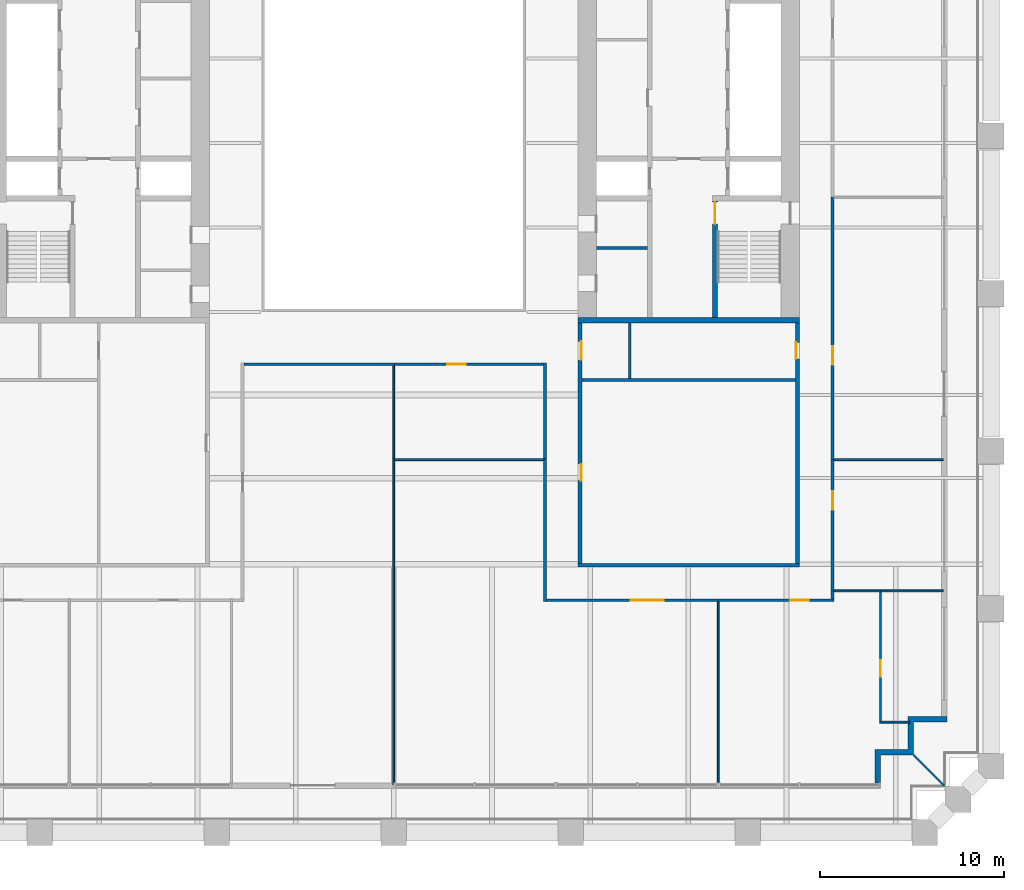
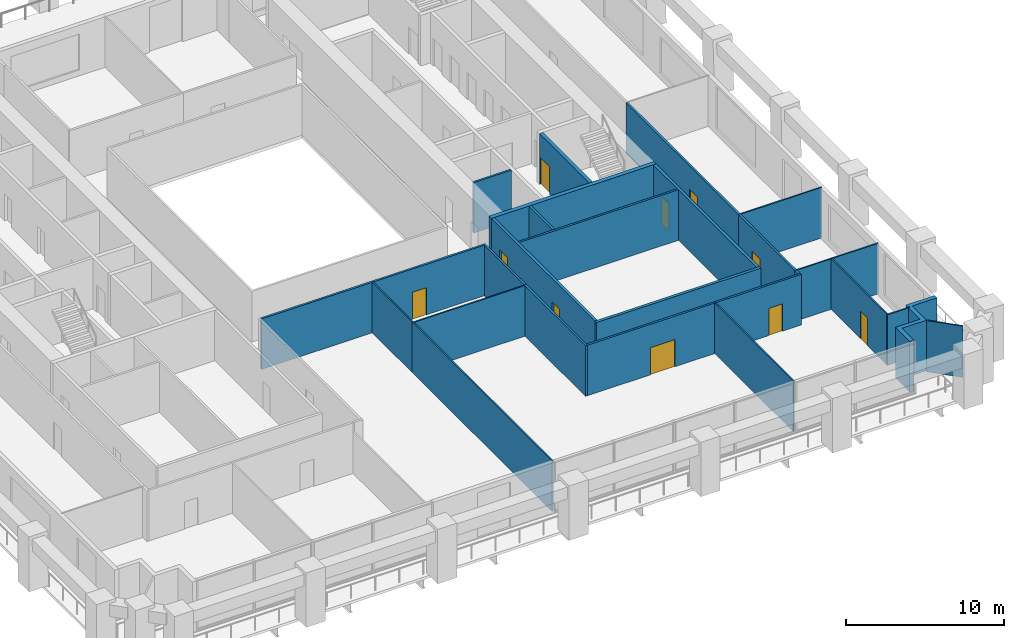
# One storey, part 6 of 11: 28 walls, 10 doors, 10 openings.
"""IFC4 building model written with IfcOpenShell, lengths in metres."""

from ifc_helpers import new_model, si_unit, direction, frame, frame_2d, origin, place, context, subcontext, project, spatial, polyline, rectangle, outline, extrude, material, layer, layer_set, type_object, element, fill, save


model = new_model("IFC4")

# Units and contexts
model_context = context("Model", 3, precision=1e-05, world=origin(), true_north=direction((0.0, 1.0)))
body_context = subcontext(model_context, "Body", "Model", "MODEL_VIEW")
ifc_project = project(units=[si_unit("LENGTHUNIT", "METRE"), si_unit("AREAUNIT", "SQUARE_METRE"), si_unit("VOLUMEUNIT", "CUBIC_METRE"), si_unit("PLANEANGLEUNIT", "RADIAN"), si_unit("MASSUNIT", "GRAM", prefix="KILO")], contexts=[model_context])

# Site, building, storey
site_placement = place(None, origin())
site = spatial("IfcSite", under=ifc_project, at=site_placement, CompositionType="ELEMENT")
building_placement = place(site_placement, origin())
building = spatial("IfcBuilding", under=site, at=building_placement, Name="Ogive Exchange Tower", CompositionType="ELEMENT")
storey_placement = place(building_placement, frame((0.0, 0.0, 90.0)))
storey = spatial("IfcBuildingStorey", under=building, at=storey_placement, Name="L19", CompositionType="ELEMENT", Elevation=90.0)

# Walls
ifc_material_1 = material(Name="Gypsum board partition")
ifc_layer_1 = layer(ifc_material_1, 0.14990234375)
ifc_layer_set_1 = layer_set([ifc_layer_1], Name="Core room partition 150 gypsum")
wall_type_1 = type_object("IfcWallType", Name="Core room partition 150 gypsum", PredefinedType="PARTITIONING", material=ifc_layer_set_1)
wall_1_placement = place(storey_placement, frame((11.0, 1.300048828125, 0.0), z_axis=(0.0, 0.0, 1.0), x_axis=(1.0, 0.0, 0.0)))
element("IfcWall", 1, at=wall_1_placement, inside=storey, type_object=wall_type_1, Name="E south room partition", PredefinedType="PARTITIONING", context=body_context, shape_type="SweptSolid", body=[
    extrude(rectangle(XDim=2.75, YDim=0.14990234375, at=frame_2d((1.375, 0.0))), origin(), (0.0, 0.0, 1.0), 3.89990234375),
])
wall_2_placement = place(storey_placement, frame((10.199951171875, -5.85009765625, 0.0), z_axis=(0.0, 0.0, 1.0), x_axis=(1.0, 0.0, 0.0)))
element("IfcWall", 2, at=wall_2_placement, inside=storey, type_object=wall_type_1, Name="E annex S wc strip wall 00", PredefinedType="PARTITIONING", context=body_context, shape_type="SweptSolid", body=[
    extrude(rectangle(XDim=11.60009765625, YDim=0.14990234375, at=frame_2d((5.800048828125, 0.0))), origin(), (0.0, 0.0, 1.0), 3.89990234375),
])
wall_3_placement = place(storey_placement, frame((12.800048828125, -5.77490234375, 0.0), z_axis=(0.0, 0.0, 1.0), x_axis=(0.0, 1.0, 0.0)))
element("IfcWall", 3, at=wall_3_placement, inside=storey, type_object=wall_type_1, Name="E annex S wc partition 00", PredefinedType="PARTITIONING", context=body_context, shape_type="SweptSolid", body=[
    extrude(rectangle(XDim=3.02490234375, YDim=0.14990234375, at=frame_2d((1.512451171875, 0.0))), origin(), (0.0, 0.0, 1.0), 3.89990234375),
])
ifc_material_2 = material(Name="Fire partition EI 60 150")
ifc_layer_2 = layer(ifc_material_2, 0.14990234375)
ifc_layer_set_2 = layer_set([ifc_layer_2], Name="Fire partition EI 60 150")
wall_type_2 = type_object("IfcWallType", Name="Fire partition EI 60 150", PredefinedType="PARTITIONING", material=ifc_layer_set_2)
wall_4_placement = place(storey_placement, frame((0.050048828125, -5.0, 0.0), z_axis=(0.0, 0.0, 1.0), x_axis=(-1.0, 0.0, 0.0)))
element("IfcWall", 4, at=wall_4_placement, inside=storey, type_object=wall_type_2, Name="L19-PWL-017", PredefinedType="PARTITIONING", context=body_context, shape_type="SweptSolid", body=[
    extrude(rectangle(XDim=8.175048828125, YDim=0.14990234375, at=frame_2d((4.08740234375, 0.0))), origin(), (0.0, 0.0, 1.0), 3.89990234375),
])
wall_5_placement = place(storey_placement, frame((8.199951171875, -17.875, 0.0), z_axis=(0.0, 0.0, 1.0), x_axis=(0.0, 1.0, 0.0)))
element("IfcWall", 5, at=wall_5_placement, inside=storey, type_object=wall_type_2, Name="L19-PWL-021", PredefinedType="PARTITIONING", context=body_context, shape_type="SweptSolid", body=[
    extrude(rectangle(XDim=7.7548828125, YDim=0.14990234375, at=frame_2d((3.87744140625, 0.0))), origin(), (0.0, 0.0, 1.0), 3.89990234375),
])
wall_6_placement = place(storey_placement, frame((8.199951171875, -10.1201171875, 0.0), z_axis=(0.0, 0.0, 1.0), x_axis=(0.0, 1.0, 0.0)))
element("IfcWall", 6, at=wall_6_placement, inside=storey, type_object=wall_type_2, Name="L19-PWL-023", PredefinedType="PARTITIONING", context=body_context, shape_type="SweptSolid", body=[
    extrude(rectangle(XDim=5.195068359375, YDim=0.14990234375, at=frame_2d((2.59765625, 0.0))), origin(), (0.0, 0.0, 1.0), 3.89990234375),
])

# Wall, opening, door
wall_7_placement = place(storey_placement, frame((8.125, -5.0, 0.0), z_axis=(0.0, 0.0, 1.0), x_axis=(-1.0, 0.0, 0.0)))
wall_7 = element("IfcWall", 7, at=wall_7_placement, inside=storey, type_object=wall_type_2, Name="L19-PWL-024", PredefinedType="PARTITIONING", context=body_context, shape_type="SweptSolid", body=[
    extrude(rectangle(XDim=8.074951171875, YDim=0.14990234375, at=frame_2d((4.03759765625, 0.0))), origin(), (0.0, 0.0, 1.0), 3.89990234375),
])
opening_1_placement = place(wall_7_placement, frame((4.22509765625, 0.0, 0.0)))
opening_1 = element("IfcOpeningElement", 8, at=opening_1_placement, cuts=wall_7, Name="Opening L19-I03", PredefinedType="OPENING", context=body_context, shape_type="SweptSolid", body=[
    extrude(rectangle(XDim=1.0, YDim=2.10009765625, at=frame_2d((0.5, 1.050048828125))), frame((0.0, 0.0849609375, 0.0), z_axis=(0.0, -1.0, 0.0), x_axis=(1.0, 0.0, 0.0)), (0.0, 0.0, 1.0), 0.169921875),
])
ifc_material_3 = material(Name="Fire door FD 30S 1000 x 2100")
door_type_1 = type_object("IfcDoorType", Name="Fire door FD 30S 1000 x 2100", OperationType="NOTDEFINED", PredefinedType="DOOR", material=ifc_material_3)
door_1_placement = place(opening_1_placement, origin())
door_1 = element("IfcDoor", 9, at=door_1_placement, inside=storey, type_object=door_type_1, Name="L19-IDR-003", ObjectType="DT3", OperationType="SINGLE_SWING_LEFT", OverallHeight=2.10009765625, OverallWidth=1.0, PredefinedType="DOOR", context=body_context, shape_type="SweptSolid", body=[
    extrude(rectangle(XDim=1.0, YDim=2.10009765625, at=frame_2d((0.5, 1.050048828125))), frame((0.0, 0.02490234375, 0.0), z_axis=(0.0, -1.0, 0.0), x_axis=(1.0, 0.0, 0.0)), (0.0, 0.0, 1.0), 0.050048828125),
])
fill(opening_1, door_1)

wall_8_placement = place(storey_placement, frame((17.64990234375, -17.800048828125, 0.0), z_axis=(0.0, 0.0, 1.0), x_axis=(-1.0, 0.0, 0.0)))
wall_8 = element("IfcWall", 10, at=wall_8_placement, inside=storey, type_object=wall_type_2, Name="L19-PWL-027", PredefinedType="PARTITIONING", context=body_context, shape_type="SweptSolid", body=[
    extrude(rectangle(XDim=9.375, YDim=0.14990234375, at=frame_2d((4.6875, 0.0))), origin(), (0.0, 0.0, 1.0), 3.89990234375),
])
opening_2_placement = place(wall_8_placement, frame((3.0, 0.0, 0.0)))
opening_2 = element("IfcOpeningElement", 11, at=opening_2_placement, cuts=wall_8, Name="Opening L19-I04", PredefinedType="OPENING", context=body_context, shape_type="SweptSolid", body=[
    extrude(rectangle(XDim=1.800048828125, YDim=2.10009765625, at=frame_2d((0.89990234375, 1.050048828125))), frame((0.0, 0.0849609375, 0.0), z_axis=(0.0, -1.0, 0.0), x_axis=(1.0, 0.0, 0.0)), (0.0, 0.0, 1.0), 0.169921875),
])
ifc_material_4 = material(Name="Fire door FD 30S 1800 x 2100")
door_type_2 = type_object("IfcDoorType", Name="Fire door FD 30S 1800 x 2100", OperationType="DOUBLE_DOOR_SINGLE_SWING", PredefinedType="DOOR", material=ifc_material_4)
door_2_placement = place(opening_2_placement, origin())
door_2 = element("IfcDoor", 12, at=door_2_placement, inside=storey, type_object=door_type_2, Name="L19-IDR-004", ObjectType="DT4", OperationType="SINGLE_SWING_RIGHT", OverallHeight=2.10009765625, OverallWidth=1.800048828125, PredefinedType="DOOR", context=body_context, shape_type="SweptSolid", body=[
    extrude(rectangle(XDim=1.800048828125, YDim=2.10009765625, at=frame_2d((0.89990234375, 1.050048828125))), frame((0.0, 0.02490234375, 0.0), z_axis=(0.0, -1.0, 0.0), x_axis=(1.0, 0.0, 0.0)), (0.0, 0.0, 1.0), 0.050048828125),
])
fill(opening_2, door_2)

wall_9_placement = place(storey_placement, frame((23.875, -17.800048828125, 0.0), z_axis=(0.0, 0.0, 1.0), x_axis=(-1.0, 0.0, 0.0)))
wall_9 = element("IfcWall", 13, at=wall_9_placement, inside=storey, type_object=wall_type_2, Name="L19-PWL-030", PredefinedType="PARTITIONING", context=body_context, shape_type="SweptSolid", body=[
    extrude(rectangle(XDim=6.27490234375, YDim=0.14990234375, at=frame_2d((3.137451171875, 0.0))), origin(), (0.0, 0.0, 1.0), 3.89990234375),
])
opening_3_placement = place(wall_9_placement, frame((1.375, 0.0, 0.0)))
opening_3 = element("IfcOpeningElement", 14, at=opening_3_placement, cuts=wall_9, Name="Opening L19-I05", PredefinedType="OPENING", context=body_context, shape_type="SweptSolid", body=[
    extrude(rectangle(XDim=1.0, YDim=2.10009765625, at=frame_2d((0.5, 1.050048828125))), frame((0.0, 0.0849609375, 0.0), z_axis=(0.0, -1.0, 0.0), x_axis=(1.0, 0.0, 0.0)), (0.0, 0.0, 1.0), 0.169921875),
])
door_3_placement = place(opening_3_placement, origin())
door_3 = element("IfcDoor", 15, at=door_3_placement, inside=storey, type_object=door_type_1, Name="L19-IDR-005", ObjectType="DT3", OperationType="SINGLE_SWING_RIGHT", OverallHeight=2.10009765625, OverallWidth=1.0, PredefinedType="DOOR", context=body_context, shape_type="SweptSolid", body=[
    extrude(rectangle(XDim=1.0, YDim=2.10009765625, at=frame_2d((0.5, 1.050048828125))), frame((0.0, 0.02490234375, 0.0), z_axis=(0.0, -1.0, 0.0), x_axis=(1.0, 0.0, 0.0)), (0.0, 0.0, 1.0), 0.050048828125),
])
fill(opening_3, door_3)

# Wall
wall_10_placement = place(storey_placement, frame((23.800048828125, -17.2900390625, 0.0), z_axis=(0.0, 0.0, 1.0), x_axis=(0.0, -1.0, 0.0)))
element("IfcWall", 16, at=wall_10_placement, inside=storey, type_object=wall_type_2, Name="L19-PWL-031", PredefinedType="PARTITIONING", context=body_context, shape_type="SweptSolid", body=[
    extrude(rectangle(XDim=0.43505859375, YDim=0.14990234375, at=frame_2d((0.217529296875, 0.0))), origin(), (0.0, 0.0, 1.0), 3.89990234375),
])

# Wall, opening, door
wall_11_placement = place(storey_placement, frame((23.800048828125, -10.169921875, 0.0), z_axis=(0.0, 0.0, 1.0), x_axis=(0.0, -1.0, 0.0)))
wall_11 = element("IfcWall", 17, at=wall_11_placement, inside=storey, type_object=wall_type_2, Name="L19-PWL-033", PredefinedType="PARTITIONING", context=body_context, shape_type="SweptSolid", body=[
    extrude(rectangle(XDim=7.1201171875, YDim=0.14990234375, at=frame_2d((3.56005859375, 0.0))), origin(), (0.0, 0.0, 1.0), 3.89990234375),
])
opening_4_placement = place(wall_11_placement, frame((1.719970703125, 0.0, 0.0)))
opening_4 = element("IfcOpeningElement", 18, at=opening_4_placement, cuts=wall_11, Name="Opening L19-I07", PredefinedType="OPENING", context=body_context, shape_type="SweptSolid", body=[
    extrude(rectangle(XDim=1.0, YDim=2.10009765625, at=frame_2d((0.5, 1.050048828125))), frame((0.0, 0.0849609375, 0.0), z_axis=(0.0, -1.0, 0.0), x_axis=(1.0, 0.0, 0.0)), (0.0, 0.0, 1.0), 0.169921875),
])
door_4_placement = place(opening_4_placement, origin())
door_4 = element("IfcDoor", 19, at=door_4_placement, inside=storey, type_object=door_type_1, Name="L19-IDR-007", ObjectType="DT3", OperationType="SINGLE_SWING_RIGHT", OverallHeight=2.10009765625, OverallWidth=1.0, PredefinedType="DOOR", context=body_context, shape_type="SweptSolid", body=[
    extrude(rectangle(XDim=1.0, YDim=2.10009765625, at=frame_2d((0.5, 1.050048828125))), frame((0.0, 0.02490234375, 0.0), z_axis=(0.0, -1.0, 0.0), x_axis=(1.0, 0.0, 0.0)), (0.0, 0.0, 1.0), 0.050048828125),
])
fill(opening_4, door_4)

wall_12_placement = place(storey_placement, frame((23.800048828125, 4.06005859375, 0.0), z_axis=(0.0, 0.0, 1.0), x_axis=(0.0, -1.0, 0.0)))
wall_12 = element("IfcWall", 20, at=wall_12_placement, inside=storey, type_object=wall_type_2, Name="L19-PWL-035", PredefinedType="PARTITIONING", context=body_context, shape_type="SweptSolid", body=[
    extrude(rectangle(XDim=14.22998046875, YDim=0.14990234375, at=frame_2d((7.114990234375, 0.0))), origin(), (0.0, 0.0, 1.0), 3.89990234375),
])
opening_5_placement = place(wall_12_placement, frame((8.080078125, 0.0, 0.0)))
opening_5 = element("IfcOpeningElement", 21, at=opening_5_placement, cuts=wall_12, Name="Opening L19-I09", PredefinedType="OPENING", context=body_context, shape_type="SweptSolid", body=[
    extrude(rectangle(XDim=1.0, YDim=2.10009765625, at=frame_2d((0.5, 1.050048828125))), frame((0.0, 0.0849609375, 0.0), z_axis=(0.0, -1.0, 0.0), x_axis=(1.0, 0.0, 0.0)), (0.0, 0.0, 1.0), 0.169921875),
])
door_5_placement = place(opening_5_placement, origin())
door_5 = element("IfcDoor", 22, at=door_5_placement, inside=storey, type_object=door_type_1, Name="L19-IDR-009", ObjectType="DT3", OperationType="SINGLE_SWING_LEFT", OverallHeight=2.10009765625, OverallWidth=1.0, PredefinedType="DOOR", context=body_context, shape_type="SweptSolid", body=[
    extrude(rectangle(XDim=1.0, YDim=2.10009765625, at=frame_2d((0.5, 1.050048828125))), frame((0.0, 0.02490234375, 0.0), z_axis=(0.0, -1.0, 0.0), x_axis=(1.0, 0.0, 0.0)), (0.0, 0.0, 1.0), 0.050048828125),
])
fill(opening_5, door_5)

# Walls
ifc_material_5 = material(Name="Precast concrete C40/50", Category="concrete")
ifc_layer_3 = layer(ifc_material_5, 0.300048828125)
ifc_layer_set_3 = layer_set([ifc_layer_3], Name="Limestone-faced wall 300")
wall_type_3 = type_object("IfcWallType", Name="Limestone-faced wall 300", PredefinedType="STANDARD", material=ifc_layer_set_3)
wall_13_placement = place(storey_placement, origin())
element("IfcWall", 23, at=wall_13_placement, inside=storey, type_object=wall_type_3, Name="External corner wall C1", PredefinedType="STANDARD", context=body_context, shape_type="SweptSolid", body=[
    extrude(outline(polyline([(27.89990234375, -25.89990234375), (27.89990234375, -24.10009765625), (30.0, -24.10009765625), (30.0, -24.39990234375), (28.199951171875, -24.39990234375), (28.199951171875, -26.199951171875), (26.39990234375, -26.199951171875), (26.39990234375, -27.699951171875), (26.10009765625, -27.699951171875), (26.10009765625, -25.89990234375), (27.89990234375, -25.89990234375)])), origin(), (0.0, 0.0, 1.0), 3.89990234375),
])
ifc_material_6 = material(Name="Laminated safety glass in steel frame", Category="steel")
ifc_layer_4 = layer(ifc_material_6, 0.10009765625)
ifc_layer_set_4 = layer_set([ifc_layer_4], Name="Loggia end screen 100")
wall_type_4 = type_object("IfcWallType", Name="Loggia end screen 100", PredefinedType="STANDARD", material=ifc_layer_set_4)
wall_14_placement = place(storey_placement, frame((28.199951171875, -26.199951171875, -0.050048828125), z_axis=(0.0, 0.0, 1.0), x_axis=(0.707106781187, -0.707106781187, 0.0)))
element("IfcWall", 24, at=wall_14_placement, inside=storey, type_object=wall_type_4, Name="Loggia end screen C1", PredefinedType="STANDARD", context=body_context, shape_type="SweptSolid", body=[
    extrude(rectangle(XDim=2.384521484375, YDim=0.10009765625, at=frame_2d((1.1923828125, 0.0))), origin(), (0.0, 0.0, 1.0), 3.949951171875),
])
ifc_material_7 = material(Name="Partition 100 gypsum")
ifc_layer_5 = layer(ifc_material_7, 0.10009765625)
ifc_layer_set_5 = layer_set([ifc_layer_5], Name="Partition 100 gypsum")
wall_type_5 = type_object("IfcWallType", Name="Partition 100 gypsum", PredefinedType="PARTITIONING", material=ifc_layer_set_5)
wall_15_placement = place(storey_placement, frame((0.0, -10.1201171875, 0.0), z_axis=(0.0, 0.0, 1.0), x_axis=(0.0, -1.0, 0.0)))
element("IfcWall", 25, at=wall_15_placement, inside=storey, type_object=wall_type_5, Name="L19-PWL-016", PredefinedType="PARTITIONING", context=body_context, shape_type="SweptSolid", body=[
    extrude(rectangle(XDim=17.679931640625, YDim=0.10009765625, at=frame_2d((8.83984375, 0.0))), origin(), (0.0, 0.0, 1.0), 3.89990234375),
])
wall_16_placement = place(storey_placement, frame((0.0, -5.074951171875, 0.0), z_axis=(0.0, 0.0, 1.0), x_axis=(0.0, -1.0, 0.0)))
element("IfcWall", 26, at=wall_16_placement, inside=storey, type_object=wall_type_5, Name="L19-PWL-018", PredefinedType="PARTITIONING", context=body_context, shape_type="SweptSolid", body=[
    extrude(rectangle(XDim=5.045166015625, YDim=0.10009765625, at=frame_2d((2.5224609375, 0.0))), origin(), (0.0, 0.0, 1.0), 3.89990234375),
])
wall_17_placement = place(storey_placement, frame((8.125, -10.169921875, 0.0), z_axis=(0.0, 0.0, 1.0), x_axis=(-1.0, 0.0, 0.0)))
element("IfcWall", 27, at=wall_17_placement, inside=storey, type_object=wall_type_5, Name="L19-PWL-022", PredefinedType="PARTITIONING", context=body_context, shape_type="SweptSolid", body=[
    extrude(rectangle(XDim=8.074951171875, YDim=0.10009765625, at=frame_2d((4.03759765625, 0.0))), origin(), (0.0, 0.0, 1.0), 3.89990234375),
])
wall_18_placement = place(storey_placement, frame((17.60009765625, -17.875, 0.0), z_axis=(0.0, 0.0, 1.0), x_axis=(0.0, -1.0, 0.0)))
element("IfcWall", 28, at=wall_18_placement, inside=storey, type_object=wall_type_5, Name="L19-PWL-028", PredefinedType="PARTITIONING", context=body_context, shape_type="SweptSolid", body=[
    extrude(rectangle(XDim=9.925048828125, YDim=0.10009765625, at=frame_2d((4.96240234375, 0.0))), origin(), (0.0, 0.0, 1.0), 3.89990234375),
])
wall_19_placement = place(storey_placement, frame((23.875, -17.2900390625, 0.0), z_axis=(0.0, 0.0, 1.0), x_axis=(1.0, 0.0, 0.0)))
element("IfcWall", 29, at=wall_19_placement, inside=storey, type_object=wall_type_5, Name="L19-PWL-032", PredefinedType="PARTITIONING", context=body_context, shape_type="SweptSolid", body=[
    extrude(rectangle(XDim=2.52490234375, YDim=0.10009765625, at=frame_2d((1.262451171875, 0.0))), origin(), (0.0, 0.0, 1.0), 3.89990234375),
])
wall_20_placement = place(storey_placement, frame((23.875, -10.169921875, 0.0), z_axis=(0.0, 0.0, 1.0), x_axis=(1.0, 0.0, 0.0)))
element("IfcWall", 30, at=wall_20_placement, inside=storey, type_object=wall_type_5, Name="L19-PWL-034", PredefinedType="PARTITIONING", context=body_context, shape_type="SweptSolid", body=[
    extrude(rectangle(XDim=5.925048828125, YDim=0.10009765625, at=frame_2d((2.96240234375, 0.0))), origin(), (0.0, 0.0, 1.0), 3.89990234375),
])
wall_21_placement = place(storey_placement, frame((26.35009765625, -24.409912109375, 0.0), z_axis=(0.0, 0.0, 1.0), x_axis=(1.0, 0.0, 0.0)))
element("IfcWall", 31, at=wall_21_placement, inside=storey, type_object=wall_type_5, Name="L19-PWL-038", PredefinedType="PARTITIONING", context=body_context, shape_type="SweptSolid", body=[
    extrude(rectangle(XDim=1.64990234375, YDim=0.10009765625, at=frame_2d((0.824951171875, 0.0))), origin(), (0.0, 0.0, 1.0), 3.89990234375),
])

# Wall, opening, door
wall_22_placement = place(storey_placement, frame((26.39990234375, -17.340087890625, 0.0), z_axis=(0.0, 0.0, 1.0), x_axis=(0.0, -1.0, 0.0)))
wall_22 = element("IfcWall", 32, at=wall_22_placement, inside=storey, type_object=wall_type_5, Name="L19-PWL-039", PredefinedType="PARTITIONING", context=body_context, shape_type="SweptSolid", body=[
    extrude(rectangle(XDim=7.02001953125, YDim=0.10009765625, at=frame_2d((3.510009765625, 0.0))), origin(), (0.0, 0.0, 1.0), 3.89990234375),
])
opening_6_placement = place(wall_22_placement, frame((3.719970703125, 0.0, 0.0)))
opening_6 = element("IfcOpeningElement", 33, at=opening_6_placement, cuts=wall_22, Name="Opening L19-I06", PredefinedType="OPENING", context=body_context, shape_type="SweptSolid", body=[
    extrude(rectangle(XDim=0.89990234375, YDim=2.10009765625, at=frame_2d((0.449951171875, 1.050048828125))), frame((0.0, 0.06005859375, 0.0), z_axis=(0.0, -1.0, 0.0), x_axis=(1.0, 0.0, 0.0)), (0.0, 0.0, 1.0), 0.1201171875),
])
ifc_material_8 = material(Name="Door 900 x 2100")
door_type_3 = type_object("IfcDoorType", Name="Door 900 x 2100", OperationType="NOTDEFINED", PredefinedType="DOOR", material=ifc_material_8)
door_6_placement = place(opening_6_placement, origin())
door_6 = element("IfcDoor", 34, at=door_6_placement, inside=storey, type_object=door_type_3, Name="L19-IDR-006", ObjectType="DT1", OperationType="SINGLE_SWING_LEFT", OverallHeight=2.10009765625, OverallWidth=0.89990234375, PredefinedType="DOOR", context=body_context, shape_type="SweptSolid", body=[
    extrude(rectangle(XDim=0.89990234375, YDim=2.10009765625, at=frame_2d((0.449951171875, 1.050048828125))), frame((0.0, 0.02490234375, 0.0), z_axis=(0.0, -1.0, 0.0), x_axis=(1.0, 0.0, 0.0)), (0.0, 0.0, 1.0), 0.050048828125),
])
fill(opening_6, door_6)

# Wall
wall_23_placement = place(storey_placement, frame((26.39990234375, -17.2900390625, 0.0), z_axis=(0.0, 0.0, 1.0), x_axis=(1.0, 0.0, 0.0)))
element("IfcWall", 35, at=wall_23_placement, inside=storey, type_object=wall_type_5, Name="L19-PWL-040", PredefinedType="PARTITIONING", context=body_context, shape_type="SweptSolid", body=[
    extrude(rectangle(XDim=3.400146484375, YDim=0.10009765625, at=frame_2d((1.7001953125, 0.0))), origin(), (0.0, 0.0, 1.0), 3.89990234375),
])

# Wall, opening, door
ifc_material_9 = material(Name="Concrete C70/85", Category="concrete")
ifc_layer_6 = layer(ifc_material_9, 0.199951171875)
ifc_layer_set_6 = layer_set([ifc_layer_6], Name="RC core wall 200 C70/85")
wall_type_6 = type_object("IfcWallType", Name="RC core wall 200 C70/85", PredefinedType="SHEAR", material=ifc_layer_set_6)
wall_24_placement = place(storey_placement, frame((21.89990234375, -15.800048828125, 0.0), z_axis=(0.0, 0.0, 1.0), x_axis=(0.0, 1.0, 0.0)))
wall_24 = element("IfcWall", 36, at=wall_24_placement, inside=storey, type_object=wall_type_6, Name="E annex S outer wall", PredefinedType="SHEAR", context=body_context, shape_type="SweptSolid", body=[
    extrude(rectangle(XDim=13.050048828125, YDim=0.199951171875, at=frame_2d((6.52490234375, 0.0))), origin(), (0.0, 0.0, 1.0), 3.89990234375),
])
opening_7_placement = place(wall_24_placement, frame((11.08740234375, 0.0, 0.0)))
opening_7 = element("IfcOpeningElement", 37, at=opening_7_placement, cuts=wall_24, Name="Opening L19-C44", PredefinedType="OPENING", context=body_context, shape_type="SweptSolid", body=[
    extrude(rectangle(XDim=0.89990234375, YDim=2.10009765625, at=frame_2d((0.449951171875, 1.050048828125))), frame((0.0, 0.10986328125, 0.0), z_axis=(0.0, -1.0, 0.0), x_axis=(1.0, 0.0, 0.0)), (0.0, 0.0, 1.0), 0.219970703125),
])
ifc_material_10 = material(Name="Steel fire door", Category="steel")
door_type_4 = type_object("IfcDoorType", Name="Riser door FD60 900 x 2100", OperationType="NOTDEFINED", PredefinedType="DOOR", material=ifc_material_10)
door_7_placement = place(opening_7_placement, origin())
door_7 = element("IfcDoor", 38, at=door_7_placement, inside=storey, type_object=door_type_4, Name="Riser door", ObjectType="CD2", OperationType="SINGLE_SWING_RIGHT", OverallHeight=2.10009765625, OverallWidth=0.89990234375, PredefinedType="DOOR", context=body_context, shape_type="SweptSolid", body=[
    extrude(rectangle(XDim=0.89990234375, YDim=2.10009765625, at=frame_2d((0.449951171875, 1.050048828125))), frame((0.0, 0.10009765625, 0.0), z_axis=(0.0, -1.0, 0.0), x_axis=(1.0, 0.0, 0.0)), (0.0, 0.0, 1.0), 0.050048828125),
])
fill(opening_7, door_7)

# Wall, openings, doors
wall_25_placement = place(storey_placement, frame((10.10009765625, -15.800048828125, 0.0), z_axis=(0.0, 0.0, 1.0), x_axis=(0.0, 1.0, 0.0)))
wall_25 = element("IfcWall", 39, at=wall_25_placement, inside=storey, type_object=wall_type_6, Name="E annex S inner wall", PredefinedType="SHEAR", context=body_context, shape_type="SweptSolid", body=[
    extrude(rectangle(XDim=13.050048828125, YDim=0.199951171875, at=frame_2d((6.52490234375, 0.0))), origin(), (0.0, 0.0, 1.0), 3.89990234375),
])
opening_8_placement = place(wall_25_placement, frame((4.487548828125, 0.0, 0.0)))
opening_8 = element("IfcOpeningElement", 40, at=opening_8_placement, cuts=wall_25, Name="Opening L19-C42", PredefinedType="OPENING", context=body_context, shape_type="SweptSolid", body=[
    extrude(rectangle(XDim=0.89990234375, YDim=2.10009765625, at=frame_2d((0.449951171875, 1.050048828125))), frame((0.0, 0.10986328125, 0.0), z_axis=(0.0, -1.0, 0.0), x_axis=(1.0, 0.0, 0.0)), (0.0, 0.0, 1.0), 0.219970703125),
])
opening_9_placement = place(wall_25_placement, frame((11.03759765625, 0.0, 0.0)))
opening_9 = element("IfcOpeningElement", 41, at=opening_9_placement, cuts=wall_25, Name="Opening L19-C43", PredefinedType="OPENING", context=body_context, shape_type="SweptSolid", body=[
    extrude(rectangle(XDim=1.0, YDim=2.10009765625, at=frame_2d((0.5, 1.050048828125))), frame((0.0, 0.10986328125, 0.0), z_axis=(0.0, -1.0, 0.0), x_axis=(1.0, 0.0, 0.0)), (0.0, 0.0, 1.0), 0.219970703125),
])
ifc_material_11 = material(Name="Timber fire door", Category="wood")
door_type_5 = type_object("IfcDoorType", Name="Accessible WC door FD30S 1000 x 2100", OperationType="NOTDEFINED", PredefinedType="DOOR", material=ifc_material_11)
door_8_placement = place(opening_9_placement, frame((1.0, -0.14990234375, 0.0), z_axis=(0.0, 0.0, 1.0), x_axis=(-1.0, 0.0, 0.0)))
door_8 = element("IfcDoor", 42, at=door_8_placement, inside=storey, type_object=door_type_5, Name="Accessible WC door", ObjectType="CD7", OperationType="SINGLE_SWING_RIGHT", OverallHeight=2.10009765625, OverallWidth=1.0, PredefinedType="DOOR", context=body_context, shape_type="SweptSolid", body=[
    extrude(rectangle(XDim=1.0, YDim=2.10009765625, at=frame_2d((0.5, 1.050048828125))), frame((0.0, -0.0498046875, 0.0), z_axis=(0.0, -1.0, 0.0), x_axis=(1.0, 0.0, 0.0)), (0.0, 0.0, 1.0), 0.050048828125),
])
fill(opening_9, door_8)
door_type_6 = type_object("IfcDoorType", Name="Core room door FD30S 900 x 2100", OperationType="NOTDEFINED", PredefinedType="DOOR", material=ifc_material_11)
door_9_placement = place(opening_8_placement, frame((0.89990234375, -0.14990234375, 0.0), z_axis=(0.0, 0.0, 1.0), x_axis=(-1.0, 0.0, 0.0)))
door_9 = element("IfcDoor", 43, at=door_9_placement, inside=storey, type_object=door_type_6, Name="Core room door", ObjectType="CD6", OperationType="SINGLE_SWING_RIGHT", OverallHeight=2.10009765625, OverallWidth=0.89990234375, PredefinedType="DOOR", context=body_context, shape_type="SweptSolid", body=[
    extrude(rectangle(XDim=0.89990234375, YDim=2.10009765625, at=frame_2d((0.449951171875, 1.050048828125))), frame((0.0, -0.0498046875, 0.0), z_axis=(0.0, -1.0, 0.0), x_axis=(1.0, 0.0, 0.0)), (0.0, 0.0, 1.0), 0.050048828125),
])
fill(opening_8, door_9)

# Wall
wall_26_placement = place(storey_placement, frame((10.0, -15.89990234375, 0.0), z_axis=(0.0, 0.0, 1.0), x_axis=(1.0, 0.0, 0.0)))
element("IfcWall", 44, at=wall_26_placement, inside=storey, type_object=wall_type_6, Name="E annex S end wall", PredefinedType="SHEAR", context=body_context, shape_type="SweptSolid", body=[
    extrude(rectangle(XDim=12.0, YDim=0.199951171875, at=frame_2d((6.0, 0.0))), origin(), (0.0, 0.0, 1.0), 3.89990234375),
])

# Wall, opening, door
ifc_layer_7 = layer(ifc_material_9, 0.25)
ifc_layer_set_7 = layer_set([ifc_layer_7], Name="RC core wall 250 C70/85")
wall_type_7 = type_object("IfcWallType", Name="RC core wall 250 C70/85", PredefinedType="SHEAR", material=ifc_layer_set_7)
wall_27_placement = place(storey_placement, frame((17.425048828125, -2.449951171875, 0.0), z_axis=(0.0, 0.0, 1.0), x_axis=(0.0, 1.0, 0.0)))
wall_27 = element("IfcWall", 45, at=wall_27_placement, inside=storey, type_object=wall_type_7, Name="E stair S front wall", PredefinedType="SHEAR", context=body_context, shape_type="SweptSolid", body=[
    extrude(rectangle(XDim=6.300048828125, YDim=0.25, at=frame_2d((3.14990234375, 0.0))), origin(), (0.0, 0.0, 1.0), 3.89990234375),
])
opening_10_placement = place(wall_27_placement, frame((5.050048828125, 0.0, 0.0)))
opening_10 = element("IfcOpeningElement", 46, at=opening_10_placement, cuts=wall_27, Name="Opening L19-C36", PredefinedType="OPENING", context=body_context, shape_type="SweptSolid", body=[
    extrude(rectangle(XDim=1.199951171875, YDim=2.10009765625, at=frame_2d((0.60009765625, 1.050048828125))), frame((0.0, 0.135009765625, 0.0), z_axis=(0.0, -1.0, 0.0), x_axis=(1.0, 0.0, 0.0)), (0.0, 0.0, 1.0), 0.27001953125),
])
door_type_7 = type_object("IfcDoorType", Name="Stair door FD90 1200 x 2100", OperationType="NOTDEFINED", PredefinedType="DOOR", material=ifc_material_10)
door_10_placement = place(opening_10_placement, frame((1.199951171875, 0.0, 0.0), z_axis=(0.0, 0.0, 1.0), x_axis=(-1.0, 0.0, 0.0)))
door_10 = element("IfcDoor", 47, at=door_10_placement, inside=storey, type_object=door_type_7, Name="Stair door", ObjectType="CD5", OperationType="SINGLE_SWING_RIGHT", OverallHeight=2.10009765625, OverallWidth=1.199951171875, PredefinedType="DOOR", context=body_context, shape_type="SweptSolid", body=[
    extrude(rectangle(XDim=1.199951171875, YDim=2.10009765625, at=frame_2d((0.60009765625, 1.050048828125))), frame((0.0, 0.02490234375, 0.0), z_axis=(0.0, -1.0, 0.0), x_axis=(1.0, 0.0, 0.0)), (0.0, 0.0, 1.0), 0.050048828125),
])
fill(opening_10, door_10)

# Wall
ifc_layer_8 = layer(ifc_material_9, 0.300048828125)
ifc_layer_set_8 = layer_set([ifc_layer_8], Name="RC core wall 300 C70/85")
wall_type_8 = type_object("IfcWallType", Name="RC core wall 300 C70/85", PredefinedType="SHEAR", material=ifc_layer_set_8)
wall_28_placement = place(storey_placement, frame((10.0, -2.60009765625, 0.0), z_axis=(0.0, 0.0, 1.0), x_axis=(1.0, 0.0, 0.0)))
element("IfcWall", 48, at=wall_28_placement, inside=storey, type_object=wall_type_8, Name="E south end wall", PredefinedType="SHEAR", context=body_context, shape_type="SweptSolid", body=[
    extrude(rectangle(XDim=12.0, YDim=0.300048828125, at=frame_2d((6.0, 0.0))), origin(), (0.0, 0.0, 1.0), 3.89990234375),
])

save(model, "model.ifc")
